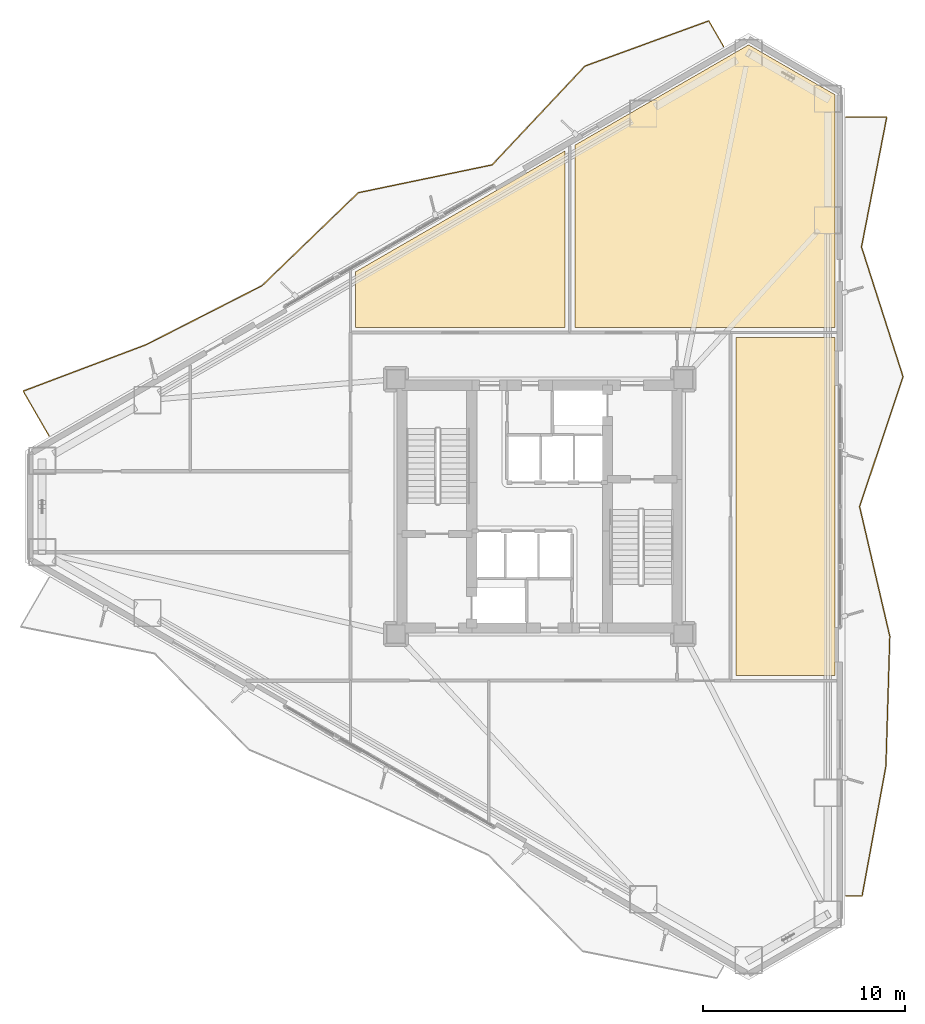
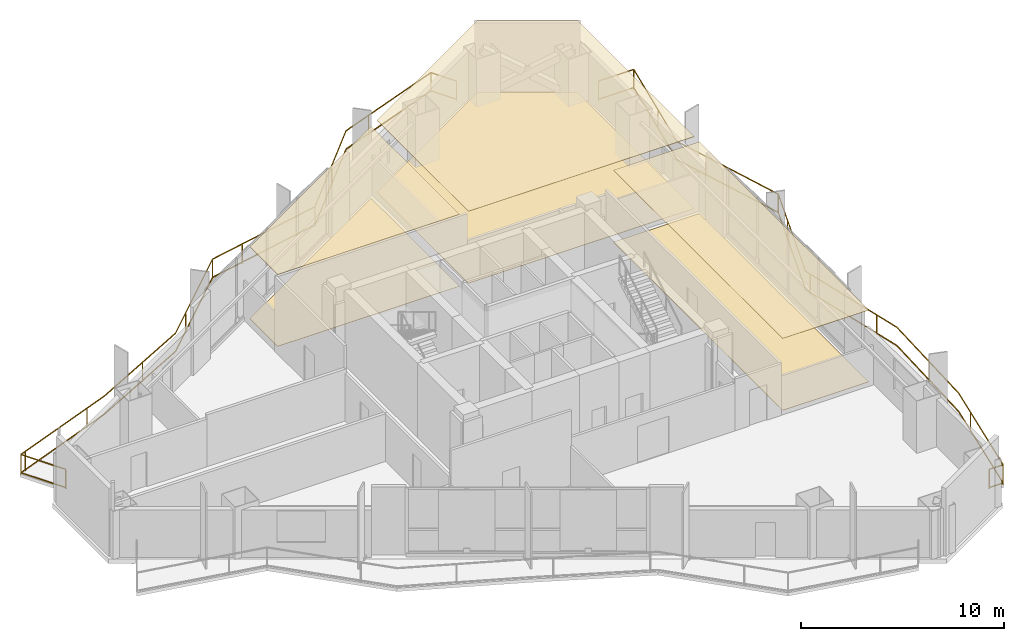
# One storey, part 16 of 16: 6 coverings, 2 railings.
"""IFC4 building model written with IfcOpenShell, lengths in metres."""

from ifc_helpers import new_model, si_unit, direction, frame, origin, origin_2d, place, context, subcontext, project, spatial, polyline, rectangle, outline, extrude, material, layer, layer_set, type_object, element, save


model = new_model("IFC4")

# Units and contexts
model_context = context("Model", 3, precision=1e-05, world=origin(), true_north=direction((0.0, 1.0)))
body_context = subcontext(model_context, "Body", "Model", "MODEL_VIEW")
ifc_project = project(units=[si_unit("LENGTHUNIT", "METRE"), si_unit("AREAUNIT", "SQUARE_METRE"), si_unit("VOLUMEUNIT", "CUBIC_METRE"), si_unit("PLANEANGLEUNIT", "RADIAN"), si_unit("MASSUNIT", "GRAM", prefix="KILO")], contexts=[model_context])

# Site, building, storey
site_placement = place(None, origin())
site = spatial("IfcSite", under=ifc_project, at=site_placement, CompositionType="ELEMENT")
building_placement = place(site_placement, origin())
building = spatial("IfcBuilding", under=site, at=building_placement, Name="Mersakhor Tower and Convention Hall", CompositionType="ELEMENT")
storey_placement = place(building_placement, frame((0.0, 0.0, 62.10009765625)))
storey = spatial("IfcBuildingStorey", under=building, at=storey_placement, Name="L17", CompositionType="ELEMENT", Elevation=62.10009765625)

# Coverings
ifc_material_1 = material(Name="Acoustic mineral-fibre suspended ceiling", Category="other")
ifc_layer_1 = layer(ifc_material_1, 0.02490234375)
ifc_layer_set_1 = layer_set([ifc_layer_1], Name="Acoustic mineral-fibre suspended ceiling")
covering_type_1 = type_object("IfcCoveringType", Name="COV-CLG-25", PredefinedType="CEILING", material=ifc_layer_set_1)
covering_1_placement = place(storey_placement, frame((0.0, 0.0, 4.31982421875)))
element("IfcCovering", 1, at=covering_1_placement, inside=storey, type_object=covering_type_1, Name="L17 Zone 1 Residents Fitness Gymnasium Acoustic Suspended Ceiling", PredefinedType="CEILING", context=body_context, shape_type="SweptSolid", body=[
    extrude(outline(polyline([(30.25, 35.60009765625), (19.89990234375, 35.60009765625), (19.89990234375, 38.354736328125), (30.25, 44.330078125), (30.25, 35.60009765625)])), origin(), (0.0, 0.0, 1.0), 0.025146484375),
])
covering_2_placement = place(storey_placement, frame((0.0, 0.0, 4.31982421875)))
element("IfcCovering", 2, at=covering_2_placement, inside=storey, type_object=covering_type_1, Name="L17 Aerobics and Yoga Studio Acoustic Suspended Ceiling", PredefinedType="CEILING", context=body_context, shape_type="SweptSolid", body=[
    extrude(outline(polyline([(43.60009765625, 35.60009765625), (30.75, 35.60009765625), (30.75, 44.61865234375), (39.3369140625, 49.576416015625), (43.60009765625, 47.115478515625), (43.60009765625, 35.60009765625)])), origin(), (0.0, 0.0, 1.0), 0.025146484375),
])
covering_3_placement = place(storey_placement, frame((0.0, 0.0, 4.31982421875)))
element("IfcCovering", 3, at=covering_3_placement, inside=storey, type_object=covering_type_1, Name="L17 Mid-Low Transfer Lounge Acoustic Suspended Ceiling", PredefinedType="CEILING", context=body_context, shape_type="SweptSolid", body=[
    extrude(outline(polyline([(38.699951171875, 18.39990234375), (38.699951171875, 35.10009765625), (43.60009765625, 35.10009765625), (43.60009765625, 18.39990234375), (38.699951171875, 18.39990234375)])), origin(), (0.0, 0.0, 1.0), 0.025146484375),
])
ifc_material_2 = material(Name="Polished porcelain tile flooring", Category="other")
ifc_layer_2 = layer(ifc_material_2, 0.02001953125)
ifc_layer_set_2 = layer_set([ifc_layer_2], Name="Polished porcelain tile flooring")
covering_type_2 = type_object("IfcCoveringType", Name="COV-FLR-20", PredefinedType="FLOORING", material=ifc_layer_set_2)
covering_4_placement = place(storey_placement, origin())
element("IfcCovering", 4, at=covering_4_placement, inside=storey, type_object=covering_type_2, Name="L17 Zone 1 Residents Fitness Gymnasium Porcelain Floor Finish", PredefinedType="FLOORING", context=body_context, shape_type="SweptSolid", body=[
    extrude(outline(polyline([(30.25, 35.60009765625), (19.89990234375, 35.60009765625), (19.89990234375, 38.354736328125), (30.25, 44.330078125), (30.25, 35.60009765625)])), origin(), (0.0, 0.0, 1.0), 0.02001953125),
])
covering_5_placement = place(storey_placement, origin())
element("IfcCovering", 5, at=covering_5_placement, inside=storey, type_object=covering_type_2, Name="L17 Aerobics and Yoga Studio Porcelain Floor Finish", PredefinedType="FLOORING", context=body_context, shape_type="SweptSolid", body=[
    extrude(outline(polyline([(43.60009765625, 35.60009765625), (30.75, 35.60009765625), (30.75, 44.61865234375), (39.3369140625, 49.576416015625), (43.60009765625, 47.115478515625), (43.60009765625, 35.60009765625)])), origin(), (0.0, 0.0, 1.0), 0.02001953125),
])
covering_6_placement = place(storey_placement, origin())
element("IfcCovering", 6, at=covering_6_placement, inside=storey, type_object=covering_type_2, Name="L17 Mid-Low Transfer Lounge Porcelain Floor Finish", PredefinedType="FLOORING", context=body_context, shape_type="SweptSolid", body=[
    extrude(outline(polyline([(38.699951171875, 18.39990234375), (38.699951171875, 35.10009765625), (43.60009765625, 35.10009765625), (43.60009765625, 18.39990234375), (38.699951171875, 18.39990234375)])), origin(), (0.0, 0.0, 1.0), 0.02001953125),
])

# Railings
ifc_material_3 = material(Name="Powder-coated galvanised steel and laminated glass balustrade", Category="steel")
railing_type = type_object("IfcRailingType", Name="RL-BAL-1200", PredefinedType="BALUSTRADE", material=ifc_material_3)
railing_1_placement = place(storey_placement, frame((38.099609375, 49.497314453125, 0.0)))
element("IfcRailing", 7, at=railing_1_placement, inside=storey, type_object=railing_type, Name="L17 Sinusoidal Balcony Balustrade F1", PredefinedType="BALUSTRADE", context=body_context, shape_type="SweptSolid", body=[
    extrude(rectangle(XDim=0.048095703125, YDim=0.048095703125, at=origin_2d()), frame((0.0, 0.0, 1.17578125), z_axis=(-0.500040825947, 0.86600183163, 0.0), x_axis=(-0.86600183163, -0.500040825947, 0.0)), (0.0, 0.0, 1.0), 1.46044921875),
    extrude(rectangle(XDim=0.048095703125, YDim=0.048095703125, at=origin_2d()), frame((0.0, 0.0, 0.080078125), z_axis=(-0.500040825947, 0.86600183163, 0.0), x_axis=(-0.86600183163, -0.500040825947, 0.0)), (0.0, 0.0, 1.0), 1.46044921875),
    extrude(rectangle(XDim=0.048095703125, YDim=0.048095703125, at=origin_2d()), frame((-0.730224609375, 1.2646484375, 1.17578125), z_axis=(-0.939339692142, -0.342988254562, 0.0), x_axis=(0.342988254562, -0.939339692142, 0.0)), (0.0, 0.0, 1.0), 6.515869140625),
    extrude(rectangle(XDim=0.048095703125, YDim=0.048095703125, at=origin_2d()), frame((-0.730224609375, 1.2646484375, 0.080078125), z_axis=(-0.939339692142, -0.342988254562, 0.0), x_axis=(0.342988254562, -0.939339692142, 0.0)), (0.0, 0.0, 1.0), 6.515869140625),
    extrude(rectangle(XDim=0.048095703125, YDim=0.048095703125, at=origin_2d()), frame((-6.850830078125, -0.97021484375, 1.17578125), z_axis=(-0.684804430885, -0.728726897706, 0.0), x_axis=(0.728726897706, -0.684804430885, 0.0)), (0.0, 0.0, 1.0), 6.703369140625),
    extrude(rectangle(XDim=0.048095703125, YDim=0.048095703125, at=origin_2d()), frame((-6.850830078125, -0.97021484375, 0.080078125), z_axis=(-0.684804430885, -0.728726897706, 0.0), x_axis=(0.728726897706, -0.684804430885, 0.0)), (0.0, 0.0, 1.0), 6.703369140625),
    extrude(rectangle(XDim=0.048095703125, YDim=0.048095703125, at=origin_2d()), frame((-11.44140625, -5.855224609375, 1.17578125), z_axis=(-0.979044090287, -0.203648396197, 0.0), x_axis=(0.203648396197, -0.979044090287, 0.0)), (0.0, 0.0, 1.0), 6.7578125),
    extrude(rectangle(XDim=0.048095703125, YDim=0.048095703125, at=origin_2d()), frame((-11.44140625, -5.855224609375, 0.080078125), z_axis=(-0.979044090287, -0.203648396197, 0.0), x_axis=(0.203648396197, -0.979044090287, 0.0)), (0.0, 0.0, 1.0), 6.7578125),
    extrude(rectangle(XDim=0.048095703125, YDim=0.048095703125, at=origin_2d()), frame((-18.0576171875, -7.2314453125, 1.17578125), z_axis=(-0.719363300939, -0.694634034052, 0.0), x_axis=(0.694634034052, -0.719363300939, 0.0)), (0.0, 0.0, 1.0), 6.614501953125),
    extrude(rectangle(XDim=0.048095703125, YDim=0.048095703125, at=origin_2d()), frame((-18.0576171875, -7.2314453125, 0.080078125), z_axis=(-0.719363300939, -0.694634034052, 0.0), x_axis=(0.694634034052, -0.719363300939, 0.0)), (0.0, 0.0, 1.0), 6.614501953125),
    extrude(rectangle(XDim=0.048095703125, YDim=0.048095703125, at=origin_2d()), frame((-22.81591796875, -11.826171875, 1.17578125), z_axis=(-0.890997455867, -0.454008296882, 0.0), x_axis=(0.454008296882, -0.890997455867, 0.0)), (0.0, 0.0, 1.0), 6.426513671875),
    extrude(rectangle(XDim=0.048095703125, YDim=0.048095703125, at=origin_2d()), frame((-22.81591796875, -11.826171875, 0.080078125), z_axis=(-0.890997455867, -0.454008296882, 0.0), x_axis=(0.454008296882, -0.890997455867, 0.0)), (0.0, 0.0, 1.0), 6.426513671875),
    extrude(rectangle(XDim=0.048095703125, YDim=0.048095703125, at=origin_2d()), frame((-28.5419921875, -14.743896484375, 1.17578125), z_axis=(-0.93556802629, -0.35314652509, 0.0), x_axis=(0.35314652509, -0.93556802629, 0.0)), (0.0, 0.0, 1.0), 6.50390625),
    extrude(rectangle(XDim=0.048095703125, YDim=0.048095703125, at=origin_2d()), frame((-28.5419921875, -14.743896484375, 0.080078125), z_axis=(-0.93556802629, -0.35314652509, 0.0), x_axis=(0.35314652509, -0.93556802629, 0.0)), (0.0, 0.0, 1.0), 6.50390625),
    extrude(rectangle(XDim=0.048095703125, YDim=0.048095703125, at=origin_2d()), frame((-34.626953125, -17.040771484375, 1.17578125), z_axis=(0.500022914263, -0.866012173824, 0.0), x_axis=(0.866012173824, 0.500022914263, 0.0)), (0.0, 0.0, 1.0), 2.5556640625),
    extrude(rectangle(XDim=0.048095703125, YDim=0.048095703125, at=origin_2d()), frame((-34.626953125, -17.040771484375, 0.080078125), z_axis=(0.500022914263, -0.866012173824, 0.0), x_axis=(0.866012173824, 0.500022914263, 0.0)), (0.0, 0.0, 1.0), 2.5556640625),
    extrude(rectangle(XDim=0.0419921875, YDim=0.0419921875, at=origin_2d()), origin(), (0.0, 0.0, 1.0), 1.15185546875),
    extrude(rectangle(XDim=0.0419921875, YDim=0.0419921875, at=origin_2d()), frame((-0.730224609375, 1.2646484375, 0.0)), (0.0, 0.0, 1.0), 1.15185546875),
    extrude(rectangle(XDim=0.0419921875, YDim=0.0419921875, at=origin_2d()), frame((-5.239013671875, -0.381591796875, 0.0)), (0.0, 0.0, 1.0), 1.15185546875),
    extrude(rectangle(XDim=0.0419921875, YDim=0.0419921875, at=origin_2d()), frame((-8.962890625, -3.2177734375, 0.0)), (0.0, 0.0, 1.0), 1.15185546875),
    extrude(rectangle(XDim=0.0419921875, YDim=0.0419921875, at=origin_2d()), frame((-11.44140625, -5.855224609375, 0.0)), (0.0, 0.0, 1.0), 1.15185546875),
    extrude(rectangle(XDim=0.0419921875, YDim=0.0419921875, at=origin_2d()), frame((-16.140869140625, -6.832763671875, 0.0)), (0.0, 0.0, 1.0), 1.15185546875),
    extrude(rectangle(XDim=0.0419921875, YDim=0.0419921875, at=origin_2d()), frame((-18.0576171875, -7.2314453125, 0.0)), (0.0, 0.0, 1.0), 1.15185546875),
    extrude(rectangle(XDim=0.0419921875, YDim=0.0419921875, at=origin_2d()), frame((-21.510498046875, -10.565673828125, 0.0)), (0.0, 0.0, 1.0), 1.15185546875),
    extrude(rectangle(XDim=0.0419921875, YDim=0.0419921875, at=origin_2d()), frame((-25.475830078125, -13.181640625, 0.0)), (0.0, 0.0, 1.0), 1.15185546875),
    extrude(rectangle(XDim=0.0419921875, YDim=0.0419921875, at=origin_2d()), frame((-29.813232421875, -15.223876953125, 0.0)), (0.0, 0.0, 1.0), 1.15185546875),
    extrude(rectangle(XDim=0.0419921875, YDim=0.0419921875, at=origin_2d()), frame((-34.303955078125, -16.9189453125, 0.0)), (0.0, 0.0, 1.0), 1.15185546875),
    extrude(rectangle(XDim=0.0419921875, YDim=0.0419921875, at=origin_2d()), frame((-34.626953125, -17.040771484375, 0.0)), (0.0, 0.0, 1.0), 1.15185546875),
    extrude(rectangle(XDim=0.0419921875, YDim=0.0419921875, at=origin_2d()), frame((-33.34912109375, -19.25390625, 0.0)), (0.0, 0.0, 1.0), 1.15185546875),
])
railing_2_placement = place(storey_placement, frame((44.14990234375, 7.49609375, 0.0)))
element("IfcRailing", 8, at=railing_2_placement, inside=storey, type_object=railing_type, Name="L17 Sinusoidal Balcony Balustrade F2", PredefinedType="BALUSTRADE", context=body_context, shape_type="SweptSolid", body=[
    extrude(rectangle(XDim=0.048095703125, YDim=0.048095703125, at=origin_2d()), frame((0.0, 0.0, 1.17578125), z_axis=(1.0, 0.0, 0.0), x_axis=(0.0, 1.0, 0.0)), (0.0, 0.0, 1.0), 0.79296875),
    extrude(rectangle(XDim=0.048095703125, YDim=0.048095703125, at=origin_2d()), frame((0.0, 0.0, 0.080078125), z_axis=(1.0, 0.0, 0.0), x_axis=(0.0, 1.0, 0.0)), (0.0, 0.0, 1.0), 0.79296875),
    extrude(rectangle(XDim=0.048095703125, YDim=0.048095703125, at=origin_2d()), frame((0.79296875, 0.0, 1.17578125), z_axis=(0.180636747497, 0.983549879495, 0.0), x_axis=(-0.983549879495, 0.180636747497, 0.0)), (0.0, 0.0, 1.0), 6.525390625),
    extrude(rectangle(XDim=0.048095703125, YDim=0.048095703125, at=origin_2d()), frame((0.79296875, 0.0, 0.080078125), z_axis=(0.180636747497, 0.983549879495, 0.0), x_axis=(-0.983549879495, 0.180636747497, 0.0)), (0.0, 0.0, 1.0), 6.525390625),
    extrude(rectangle(XDim=0.048095703125, YDim=0.048095703125, at=origin_2d()), frame((1.9716796875, 6.41796875, 1.17578125), z_axis=(0.030190127599, 0.999544174209, 0.0), x_axis=(-0.999544174209, 0.030190127599, 0.0)), (0.0, 0.0, 1.0), 6.4208984375),
    extrude(rectangle(XDim=0.048095703125, YDim=0.048095703125, at=origin_2d()), frame((1.9716796875, 6.41796875, 0.080078125), z_axis=(0.030190127599, 0.999544174209, 0.0), x_axis=(-0.999544174209, 0.030190127599, 0.0)), (0.0, 0.0, 1.0), 6.4208984375),
    extrude(rectangle(XDim=0.048095703125, YDim=0.048095703125, at=origin_2d()), frame((2.16552734375, 12.8359375, 1.17578125), z_axis=(-0.226707217047, 0.973962955014, 0.0), x_axis=(-0.973962955014, -0.226707217047, 0.0)), (0.0, 0.0, 1.0), 6.589599609375),
    extrude(rectangle(XDim=0.048095703125, YDim=0.048095703125, at=origin_2d()), frame((2.16552734375, 12.8359375, 0.080078125), z_axis=(-0.226707217047, 0.973962955014, 0.0), x_axis=(-0.973962955014, -0.226707217047, 0.0)), (0.0, 0.0, 1.0), 6.589599609375),
    extrude(rectangle(XDim=0.048095703125, YDim=0.048095703125, at=origin_2d()), frame((0.671630859375, 19.25390625, 1.17578125), z_axis=(0.317439549849, 0.948278509823, 0.0), x_axis=(-0.948278509823, 0.317439549849, 0.0)), (0.0, 0.0, 1.0), 6.76806640625),
    extrude(rectangle(XDim=0.048095703125, YDim=0.048095703125, at=origin_2d()), frame((0.671630859375, 19.25390625, 0.080078125), z_axis=(0.317439549849, 0.948278509823, 0.0), x_axis=(-0.948278509823, 0.317439549849, 0.0)), (0.0, 0.0, 1.0), 6.76806640625),
    extrude(rectangle(XDim=0.048095703125, YDim=0.048095703125, at=origin_2d()), frame((2.820068359375, 25.671875, 1.17578125), z_axis=(-0.304934780955, 0.952373235325, 0.0), x_axis=(-0.952373235325, -0.304934780955, 0.0)), (0.0, 0.0, 1.0), 6.739013671875),
    extrude(rectangle(XDim=0.048095703125, YDim=0.048095703125, at=origin_2d()), frame((2.820068359375, 25.671875, 0.080078125), z_axis=(-0.304934780955, 0.952373235325, 0.0), x_axis=(-0.952373235325, -0.304934780955, 0.0)), (0.0, 0.0, 1.0), 6.739013671875),
    extrude(rectangle(XDim=0.048095703125, YDim=0.048095703125, at=origin_2d()), frame((0.76513671875, 32.08984375, 1.17578125), z_axis=(0.190885650335, 0.981612280127, 0.0), x_axis=(-0.981612280127, 0.190885650335, 0.0)), (0.0, 0.0, 1.0), 6.5380859375),
    extrude(rectangle(XDim=0.048095703125, YDim=0.048095703125, at=origin_2d()), frame((0.76513671875, 32.08984375, 0.080078125), z_axis=(0.190885650335, 0.981612280127, 0.0), x_axis=(-0.981612280127, 0.190885650335, 0.0)), (0.0, 0.0, 1.0), 6.5380859375),
    extrude(rectangle(XDim=0.048095703125, YDim=0.048095703125, at=origin_2d()), frame((2.01318359375, 38.5078125, 1.17578125), z_axis=(-1.0, 0.0, 0.0), x_axis=(0.0, -1.0, 0.0)), (0.0, 0.0, 1.0), 2.01318359375),
    extrude(rectangle(XDim=0.048095703125, YDim=0.048095703125, at=origin_2d()), frame((2.01318359375, 38.5078125, 0.080078125), z_axis=(-1.0, 0.0, 0.0), x_axis=(0.0, -1.0, 0.0)), (0.0, 0.0, 1.0), 2.01318359375),
    extrude(rectangle(XDim=0.0419921875, YDim=0.0419921875, at=origin_2d()), origin(), (0.0, 0.0, 1.0), 1.15185546875),
    extrude(rectangle(XDim=0.0419921875, YDim=0.0419921875, at=origin_2d()), frame((0.79296875, 0.0, 0.0)), (0.0, 0.0, 1.0), 1.15185546875),
    extrude(rectangle(XDim=0.0419921875, YDim=0.0419921875, at=origin_2d()), frame((1.659912109375, 4.720947265625, 0.0)), (0.0, 0.0, 1.0), 1.15185546875),
    extrude(rectangle(XDim=0.0419921875, YDim=0.0419921875, at=origin_2d()), frame((2.064453125, 9.4912109375, 0.0)), (0.0, 0.0, 1.0), 1.15185546875),
    extrude(rectangle(XDim=0.0419921875, YDim=0.0419921875, at=origin_2d()), frame((1.8359375, 14.251953125, 0.0)), (0.0, 0.0, 1.0), 1.15185546875),
    extrude(rectangle(XDim=0.0419921875, YDim=0.0419921875, at=origin_2d()), frame((0.747802734375, 18.927001953125, 0.0)), (0.0, 0.0, 1.0), 1.15185546875),
    extrude(rectangle(XDim=0.0419921875, YDim=0.0419921875, at=origin_2d()), frame((2.0888671875, 23.4873046875, 0.0)), (0.0, 0.0, 1.0), 1.15185546875),
    extrude(rectangle(XDim=0.0419921875, YDim=0.0419921875, at=origin_2d()), frame((2.820068359375, 25.671875, 0.0)), (0.0, 0.0, 1.0), 1.15185546875),
    extrude(rectangle(XDim=0.0419921875, YDim=0.0419921875, at=origin_2d()), frame((1.3564453125, 30.2431640625, 0.0)), (0.0, 0.0, 1.0), 1.15185546875),
    extrude(rectangle(XDim=0.0419921875, YDim=0.0419921875, at=origin_2d()), frame((1.311279296875, 34.898193359375, 0.0)), (0.0, 0.0, 1.0), 1.15185546875),
    extrude(rectangle(XDim=0.0419921875, YDim=0.0419921875, at=origin_2d()), frame((2.01318359375, 38.5078125, 0.0)), (0.0, 0.0, 1.0), 1.15185546875),
    extrude(rectangle(XDim=0.0419921875, YDim=0.0419921875, at=origin_2d()), frame((0.0, 38.5078125, 0.0)), (0.0, 0.0, 1.0), 1.15185546875),
])

save(model, "model.ifc")
